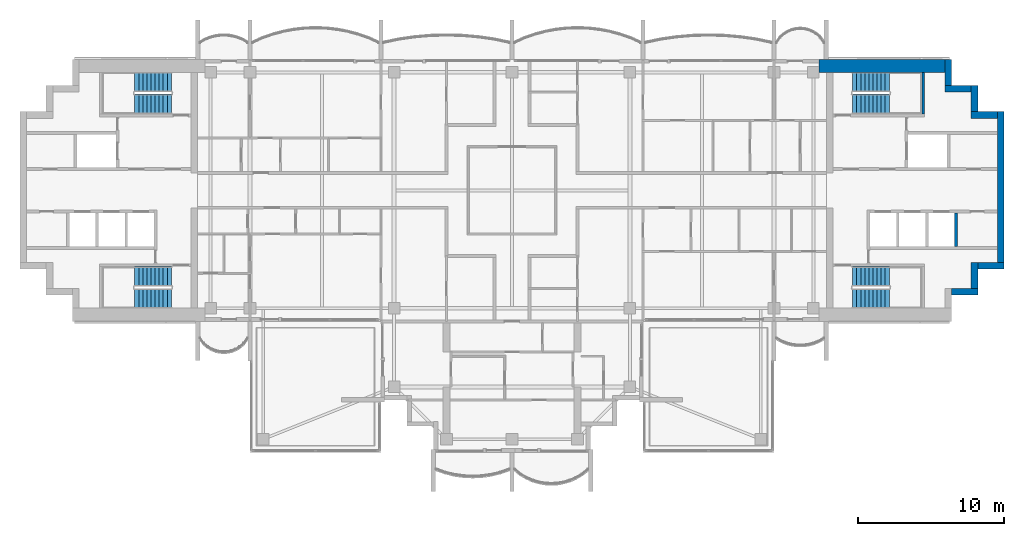
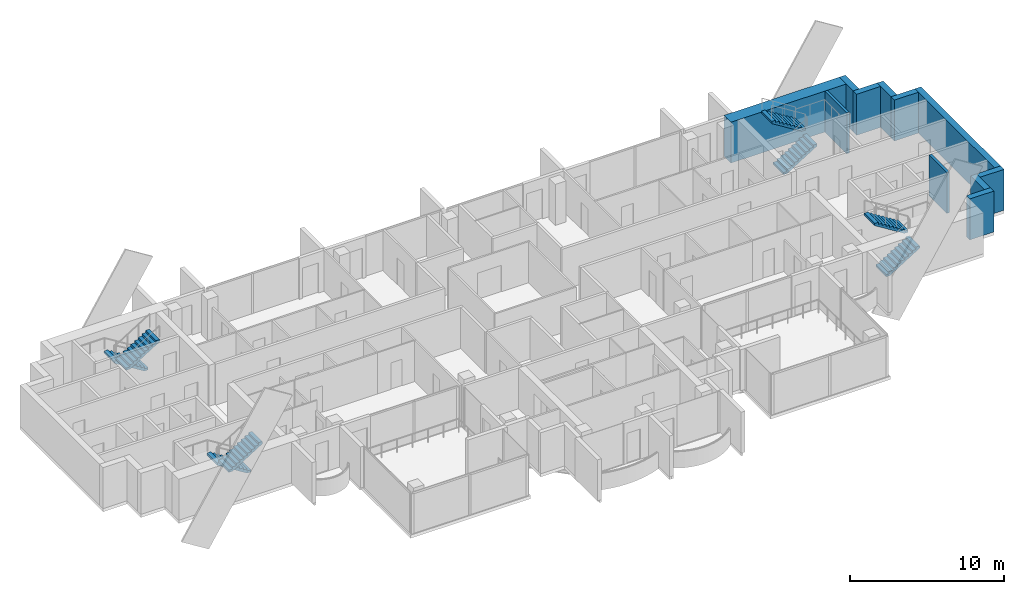
# One storey, part 12 of 16: 11 walls, 8 stair flights, 4 elements without a shape of their own.
"""IFC4 building model written with IfcOpenShell, lengths in metres."""

from ifc_helpers import new_model, si_unit, direction, frame, frame_2d, origin, place, context, subcontext, project, spatial, polyline, rectangle, outline, extrude, material, layer, layer_set, type_object, element, aggregate, save


model = new_model("IFC4")

# Units and contexts
model_context = context("Model", 3, precision=1e-05, world=origin(), true_north=direction((0.0, 1.0)))
body_context = subcontext(model_context, "Body", "Model", "MODEL_VIEW")
ifc_project = project(units=[si_unit("LENGTHUNIT", "METRE"), si_unit("AREAUNIT", "SQUARE_METRE"), si_unit("VOLUMEUNIT", "CUBIC_METRE"), si_unit("PLANEANGLEUNIT", "RADIAN"), si_unit("MASSUNIT", "GRAM", prefix="KILO")], contexts=[model_context])

# Site, building, storey
site_placement = place(None, origin())
site = spatial("IfcSite", under=ifc_project, at=site_placement, CompositionType="ELEMENT")
building_placement = place(site_placement, origin())
building = spatial("IfcBuilding", under=site, at=building_placement, Name="Perihelion Cross Residences", CompositionType="ELEMENT")
storey_placement = place(building_placement, frame((0.0, 0.0, 271.0)))
storey = spatial("IfcBuildingStorey", under=building, at=storey_placement, Name="L69", CompositionType="ELEMENT", Elevation=271.0)

# Walls
ifc_material_1 = material(Name="Concrete C60/75", Category="concrete")
ifc_layer_1 = layer(ifc_material_1, 0.449951171875)
ifc_layer_set_1 = layer_set([ifc_layer_1], Name="Core wall, outer 450")
wall_type_1 = type_object("IfcWallType", Name="Core wall, outer 450", PredefinedType="SHEAR", material=ifc_layer_set_1)
for number, where, z_axis, x_axis, name in (
    (1, (30.199951171875, -6.97509765625, 0.0), (0.0, 0.0, 1.0), (1.0, 0.0, 0.0), "East core core wall, outer"),
    (2, (31.77490234375, -6.75, 0.0), (0.0, 0.0, 1.0), (0.0, 1.0, 0.0), "East core core wall, outer"),
    (3, (32.0, -5.175048828125, 0.0), (0.0, 0.0, 1.0), (1.0, 0.0, 0.0), "East core core wall, outer"),
):
    element("IfcWall", number, at=place(storey_placement, frame(where, z_axis=z_axis, x_axis=x_axis)), inside=storey, type_object=wall_type_1, Name=name, PredefinedType="SHEAR", context=body_context, shape_type="SweptSolid", body=[
        extrude(rectangle(XDim=1.800048828125, YDim=0.449951171875, at=frame_2d((0.89990234375, 0.0))), origin(), (0.0, 0.0, 1.0), 3.25),
    ])
wall_1_placement = place(storey_placement, frame((33.574951171875, -4.949951171875, 0.0), z_axis=(0.0, 0.0, 1.0), x_axis=(0.0, 1.0, 0.0)))
element("IfcWall", 4, at=wall_1_placement, inside=storey, type_object=wall_type_1, Name="East core core wall, outer", PredefinedType="SHEAR", context=body_context, shape_type="SweptSolid", body=[
    extrude(rectangle(XDim=10.349853515625, YDim=0.449951171875, at=frame_2d((5.1748046875, 0.0))), origin(), (0.0, 0.0, 1.0), 3.25),
])
for number, where, z_axis, x_axis, name in (
    (5, (31.550048828125, 5.175048828125, 0.0), (0.0, 0.0, 1.0), (1.0, 0.0, 0.0), "East core core wall, outer"),
    (6, (31.77490234375, 5.39990234375, 0.0), (0.0, 0.0, 1.0), (0.0, 1.0, 0.0), "East core core wall, outer"),
    (7, (29.75, 6.97509765625, 0.0), (0.0, 0.0, 1.0), (1.0, 0.0, 0.0), "East core core wall, outer"),
    (8, (29.97509765625, 7.199951171875, 0.0), (0.0, 0.0, 1.0), (0.0, 1.0, 0.0), "East core core wall, outer"),
):
    element("IfcWall", number, at=place(storey_placement, frame(where, z_axis=z_axis, x_axis=x_axis)), inside=storey, type_object=wall_type_1, Name=name, PredefinedType="SHEAR", context=body_context, shape_type="SweptSolid", body=[
        extrude(rectangle(XDim=1.800048828125, YDim=0.449951171875, at=frame_2d((0.89990234375, 0.0))), origin(), (0.0, 0.0, 1.0), 3.25),
    ])
ifc_material_2 = material(Name="Concrete C60/75", Category="concrete")
ifc_layer_2 = layer(ifc_material_2, 0.89990234375)
ifc_layer_set_2 = layer_set([ifc_layer_2], Name="Core wall, outer 900")
wall_type_2 = type_object("IfcWallType", Name="Core wall, outer 900", PredefinedType="SHEAR", material=ifc_layer_set_2)
wall_2_placement = place(storey_placement, frame((21.10009765625, 8.550048828125, 0.0), z_axis=(0.0, 0.0, 1.0), x_axis=(1.0, 0.0, 0.0)))
element("IfcWall", 9, at=wall_2_placement, inside=storey, type_object=wall_type_2, Name="East core core wall, outer", PredefinedType="SHEAR", context=body_context, shape_type="SweptSolid", body=[
    extrude(rectangle(XDim=8.64990234375, YDim=0.89990234375, at=frame_2d((4.324951171875, 0.0))), origin(), (0.0, 0.0, 1.0), 3.25),
])
ifc_material_3 = material(Name="Concrete C50/60", Category="concrete")
ifc_layer_3 = layer(ifc_material_3, 0.199951171875)
ifc_layer_set_3 = layer_set([ifc_layer_3], Name="Shaft wall 200")
wall_type_3 = type_object("IfcWallType", Name="Shaft wall 200", PredefinedType="SOLIDWALL", material=ifc_layer_set_3)
wall_3_placement = place(storey_placement, frame((30.5, -3.85009765625, 0.0), z_axis=(0.0, 0.0, 1.0), x_axis=(0.0, 1.0, 0.0)))
element("IfcWall", 10, at=wall_3_placement, inside=storey, type_object=wall_type_3, Name="East core shaft wall", PredefinedType="SOLIDWALL", context=body_context, shape_type="SweptSolid", body=[
    extrude(rectangle(XDim=2.300048828125, YDim=0.199951171875, at=frame_2d((1.14990234375, 0.0))), origin(), (0.0, 0.0, 1.0), 3.25),
])
ifc_material_4 = material(Name="Concrete C50/60", Category="concrete")
ifc_layer_4 = layer(ifc_material_4, 0.199951171875)
ifc_layer_set_4 = layer_set([ifc_layer_4], Name="Stair wall 200")
wall_type_4 = type_object("IfcWallType", Name="Stair wall 200", PredefinedType="SOLIDWALL", material=ifc_layer_set_4)
wall_4_placement = place(storey_placement, frame((28.25, 5.25, 0.0), z_axis=(0.0, 0.0, 1.0), x_axis=(0.0, 1.0, 0.0)))
element("IfcWall", 11, at=wall_4_placement, inside=storey, type_object=wall_type_4, Name="East core stair wall", PredefinedType="SOLIDWALL", context=body_context, shape_type="SweptSolid", body=[
    extrude(rectangle(XDim=2.85009765625, YDim=0.199951171875, at=frame_2d((1.425048828125, 0.0))), origin(), (0.0, 0.0, 1.0), 3.25),
])

# Stair, stair flights
ifc_material_5 = material(Name="Concrete C40/50", Category="concrete")
stair_type = type_object("IfcStairType", Name="Exit stair, half-turn", PredefinedType="HALF_TURN_STAIR", material=ifc_material_5)
stair_1_placement = place(storey_placement, origin())
stair_1 = element("IfcStair", 12, at=stair_1_placement, inside=storey, type_object=stair_type, Name="L69 East core exit stair 1", PredefinedType="HALF_TURN_STAIR")
ifc_material_6 = material(Name="Concrete C40/50", Category="concrete")
stair_flight_type = type_object("IfcStairFlightType", Name="Exit stair flight", PredefinedType="STRAIGHT", material=ifc_material_6)
stair_flight_1_placement = place(storey_placement, frame((23.39990234375, 5.925048828125, 0.0), z_axis=(0.0, 0.0, 1.0), x_axis=(1.0, 0.0, 0.0)))
stair_flight_1 = element("IfcStairFlight", 13, at=stair_flight_1_placement, type_object=stair_flight_type, Name="ST-E1 flight 1", NumberOfRisers=10, NumberOfTreads=9, PredefinedType="STRAIGHT", RiserHeight=0.175, TreadLength=0.28, context=body_context, shape_type="SweptSolid", body=[
    extrude(outline(polyline([(0.0, 0.0), (0.0, 0.175048828125), (0.280029296875, 0.175048828125), (0.280029296875, 0.35009765625), (0.56005859375, 0.35009765625), (0.56005859375, 0.52490234375), (0.840087890625, 0.52490234375), (0.840087890625, 0.699951171875), (1.1201171875, 0.699951171875), (1.1201171875, 0.875), (1.39990234375, 0.875), (1.39990234375, 1.050048828125), (1.679931640625, 1.050048828125), (1.679931640625, 1.22509765625), (1.9599609375, 1.22509765625), (1.9599609375, 1.39990234375), (2.239990234375, 1.39990234375), (2.239990234375, 1.574951171875), (2.52001953125, 1.574951171875), (2.52001953125, 1.75), (2.52001953125, 1.398193359375), (0.28271484375, 0.0), (0.0, 0.0)])), frame((0.0, 0.675048828125, 0.0), z_axis=(0.0, -1.0, 0.0), x_axis=(1.0, 0.0, 0.0)), (0.0, 0.0, 1.0), 1.35009765625),
])
stair_flight_2_placement = place(storey_placement, frame((25.919921875, 7.425048828125, 1.75), z_axis=(0.0, 0.0, 1.0), x_axis=(-1.0, 0.0, 0.0)))
stair_flight_2 = element("IfcStairFlight", 14, at=stair_flight_2_placement, type_object=stair_flight_type, Name="ST-E1 flight 2", NumberOfRisers=10, NumberOfTreads=9, PredefinedType="STRAIGHT", RiserHeight=0.175, TreadLength=0.28, context=body_context, shape_type="SweptSolid", body=[
    extrude(outline(polyline([(0.0, 0.0), (0.0, 0.175048828125), (0.280029296875, 0.175048828125), (0.280029296875, 0.35009765625), (0.56005859375, 0.35009765625), (0.56005859375, 0.52490234375), (0.840087890625, 0.52490234375), (0.840087890625, 0.699951171875), (1.1201171875, 0.699951171875), (1.1201171875, 0.875), (1.39990234375, 0.875), (1.39990234375, 1.050048828125), (1.679931640625, 1.050048828125), (1.679931640625, 1.22509765625), (1.9599609375, 1.22509765625), (1.9599609375, 1.39990234375), (2.239990234375, 1.39990234375), (2.239990234375, 1.574951171875), (2.52001953125, 1.574951171875), (2.52001953125, 1.75), (2.52001953125, 1.398193359375), (0.28271484375, 0.0), (0.0, 0.0)])), frame((0.0, 0.675048828125, 0.0), z_axis=(0.0, -1.0, 0.0), x_axis=(1.0, 0.0, 0.0)), (0.0, 0.0, 1.0), 1.35009765625),
])
aggregate(stair_1, [stair_flight_1, stair_flight_2])

stair_2_placement = place(storey_placement, origin())
stair_2 = element("IfcStair", 15, at=stair_2_placement, inside=storey, type_object=stair_type, Name="L69 East core exit stair 2", PredefinedType="HALF_TURN_STAIR")
stair_flight_3_placement = place(storey_placement, frame((23.39990234375, -7.425048828125, 0.0), z_axis=(0.0, 0.0, 1.0), x_axis=(1.0, 0.0, 0.0)))
stair_flight_3 = element("IfcStairFlight", 16, at=stair_flight_3_placement, type_object=stair_flight_type, Name="ST-E2 flight 1", NumberOfRisers=10, NumberOfTreads=9, PredefinedType="STRAIGHT", RiserHeight=0.175, TreadLength=0.28, context=body_context, shape_type="SweptSolid", body=[
    extrude(outline(polyline([(0.0, 0.0), (0.0, 0.175048828125), (0.280029296875, 0.175048828125), (0.280029296875, 0.35009765625), (0.56005859375, 0.35009765625), (0.56005859375, 0.52490234375), (0.840087890625, 0.52490234375), (0.840087890625, 0.699951171875), (1.1201171875, 0.699951171875), (1.1201171875, 0.875), (1.39990234375, 0.875), (1.39990234375, 1.050048828125), (1.679931640625, 1.050048828125), (1.679931640625, 1.22509765625), (1.9599609375, 1.22509765625), (1.9599609375, 1.39990234375), (2.239990234375, 1.39990234375), (2.239990234375, 1.574951171875), (2.52001953125, 1.574951171875), (2.52001953125, 1.75), (2.52001953125, 1.398193359375), (0.28271484375, 0.0), (0.0, 0.0)])), frame((0.0, 0.675048828125, 0.0), z_axis=(0.0, -1.0, 0.0), x_axis=(1.0, 0.0, 0.0)), (0.0, 0.0, 1.0), 1.35009765625),
])
stair_flight_4_placement = place(storey_placement, frame((25.919921875, -5.925048828125, 1.75), z_axis=(0.0, 0.0, 1.0), x_axis=(-1.0, 0.0, 0.0)))
stair_flight_4 = element("IfcStairFlight", 17, at=stair_flight_4_placement, type_object=stair_flight_type, Name="ST-E2 flight 2", NumberOfRisers=10, NumberOfTreads=9, PredefinedType="STRAIGHT", RiserHeight=0.175, TreadLength=0.28, context=body_context, shape_type="SweptSolid", body=[
    extrude(outline(polyline([(0.0, 0.0), (0.0, 0.175048828125), (0.280029296875, 0.175048828125), (0.280029296875, 0.35009765625), (0.56005859375, 0.35009765625), (0.56005859375, 0.52490234375), (0.840087890625, 0.52490234375), (0.840087890625, 0.699951171875), (1.1201171875, 0.699951171875), (1.1201171875, 0.875), (1.39990234375, 0.875), (1.39990234375, 1.050048828125), (1.679931640625, 1.050048828125), (1.679931640625, 1.22509765625), (1.9599609375, 1.22509765625), (1.9599609375, 1.39990234375), (2.239990234375, 1.39990234375), (2.239990234375, 1.574951171875), (2.52001953125, 1.574951171875), (2.52001953125, 1.75), (2.52001953125, 1.398193359375), (0.28271484375, 0.0), (0.0, 0.0)])), frame((0.0, 0.675048828125, 0.0), z_axis=(0.0, -1.0, 0.0), x_axis=(1.0, 0.0, 0.0)), (0.0, 0.0, 1.0), 1.35009765625),
])
aggregate(stair_2, [stair_flight_3, stair_flight_4])

stair_3_placement = place(storey_placement, origin())
stair_3 = element("IfcStair", 18, at=stair_3_placement, inside=storey, type_object=stair_type, Name="L69 West core exit stair 1", PredefinedType="HALF_TURN_STAIR")
stair_flight_5_placement = place(storey_placement, frame((-23.39990234375, 7.425048828125, 0.0), z_axis=(0.0, 0.0, 1.0), x_axis=(-1.0, 0.0, 0.0)))
stair_flight_5 = element("IfcStairFlight", 19, at=stair_flight_5_placement, type_object=stair_flight_type, Name="ST-W1 flight 1", NumberOfRisers=10, NumberOfTreads=9, PredefinedType="STRAIGHT", RiserHeight=0.175, TreadLength=0.28, context=body_context, shape_type="SweptSolid", body=[
    extrude(outline(polyline([(0.0, 0.0), (0.0, 0.175048828125), (0.280029296875, 0.175048828125), (0.280029296875, 0.35009765625), (0.56005859375, 0.35009765625), (0.56005859375, 0.52490234375), (0.840087890625, 0.52490234375), (0.840087890625, 0.699951171875), (1.1201171875, 0.699951171875), (1.1201171875, 0.875), (1.39990234375, 0.875), (1.39990234375, 1.050048828125), (1.679931640625, 1.050048828125), (1.679931640625, 1.22509765625), (1.9599609375, 1.22509765625), (1.9599609375, 1.39990234375), (2.239990234375, 1.39990234375), (2.239990234375, 1.574951171875), (2.52001953125, 1.574951171875), (2.52001953125, 1.75), (2.52001953125, 1.398193359375), (0.28271484375, 0.0), (0.0, 0.0)])), frame((0.0, 0.675048828125, 0.0), z_axis=(0.0, -1.0, 0.0), x_axis=(1.0, 0.0, 0.0)), (0.0, 0.0, 1.0), 1.35009765625),
])
stair_flight_6_placement = place(storey_placement, frame((-25.919921875, 5.925048828125, 1.75), z_axis=(0.0, 0.0, 1.0), x_axis=(1.0, 0.0, 0.0)))
stair_flight_6 = element("IfcStairFlight", 20, at=stair_flight_6_placement, type_object=stair_flight_type, Name="ST-W1 flight 2", NumberOfRisers=10, NumberOfTreads=9, PredefinedType="STRAIGHT", RiserHeight=0.175, TreadLength=0.28, context=body_context, shape_type="SweptSolid", body=[
    extrude(outline(polyline([(0.0, 0.0), (0.0, 0.175048828125), (0.280029296875, 0.175048828125), (0.280029296875, 0.35009765625), (0.56005859375, 0.35009765625), (0.56005859375, 0.52490234375), (0.840087890625, 0.52490234375), (0.840087890625, 0.699951171875), (1.1201171875, 0.699951171875), (1.1201171875, 0.875), (1.39990234375, 0.875), (1.39990234375, 1.050048828125), (1.679931640625, 1.050048828125), (1.679931640625, 1.22509765625), (1.9599609375, 1.22509765625), (1.9599609375, 1.39990234375), (2.239990234375, 1.39990234375), (2.239990234375, 1.574951171875), (2.52001953125, 1.574951171875), (2.52001953125, 1.75), (2.52001953125, 1.398193359375), (0.28271484375, 0.0), (0.0, 0.0)])), frame((0.0, 0.675048828125, 0.0), z_axis=(0.0, -1.0, 0.0), x_axis=(1.0, 0.0, 0.0)), (0.0, 0.0, 1.0), 1.35009765625),
])
aggregate(stair_3, [stair_flight_5, stair_flight_6])

stair_4_placement = place(storey_placement, origin())
stair_4 = element("IfcStair", 21, at=stair_4_placement, inside=storey, type_object=stair_type, Name="L69 West core exit stair 2", PredefinedType="HALF_TURN_STAIR")
stair_flight_7_placement = place(storey_placement, frame((-23.39990234375, -5.925048828125, 0.0), z_axis=(0.0, 0.0, 1.0), x_axis=(-1.0, 0.0, 0.0)))
stair_flight_7 = element("IfcStairFlight", 22, at=stair_flight_7_placement, type_object=stair_flight_type, Name="ST-W2 flight 1", NumberOfRisers=10, NumberOfTreads=9, PredefinedType="STRAIGHT", RiserHeight=0.175, TreadLength=0.28, context=body_context, shape_type="SweptSolid", body=[
    extrude(outline(polyline([(0.0, 0.0), (0.0, 0.175048828125), (0.280029296875, 0.175048828125), (0.280029296875, 0.35009765625), (0.56005859375, 0.35009765625), (0.56005859375, 0.52490234375), (0.840087890625, 0.52490234375), (0.840087890625, 0.699951171875), (1.1201171875, 0.699951171875), (1.1201171875, 0.875), (1.39990234375, 0.875), (1.39990234375, 1.050048828125), (1.679931640625, 1.050048828125), (1.679931640625, 1.22509765625), (1.9599609375, 1.22509765625), (1.9599609375, 1.39990234375), (2.239990234375, 1.39990234375), (2.239990234375, 1.574951171875), (2.52001953125, 1.574951171875), (2.52001953125, 1.75), (2.52001953125, 1.398193359375), (0.28271484375, 0.0), (0.0, 0.0)])), frame((0.0, 0.675048828125, 0.0), z_axis=(0.0, -1.0, 0.0), x_axis=(1.0, 0.0, 0.0)), (0.0, 0.0, 1.0), 1.35009765625),
])
stair_flight_8_placement = place(storey_placement, frame((-25.919921875, -7.425048828125, 1.75), z_axis=(0.0, 0.0, 1.0), x_axis=(1.0, 0.0, 0.0)))
stair_flight_8 = element("IfcStairFlight", 23, at=stair_flight_8_placement, type_object=stair_flight_type, Name="ST-W2 flight 2", NumberOfRisers=10, NumberOfTreads=9, PredefinedType="STRAIGHT", RiserHeight=0.175, TreadLength=0.28, context=body_context, shape_type="SweptSolid", body=[
    extrude(outline(polyline([(0.0, 0.0), (0.0, 0.175048828125), (0.280029296875, 0.175048828125), (0.280029296875, 0.35009765625), (0.56005859375, 0.35009765625), (0.56005859375, 0.52490234375), (0.840087890625, 0.52490234375), (0.840087890625, 0.699951171875), (1.1201171875, 0.699951171875), (1.1201171875, 0.875), (1.39990234375, 0.875), (1.39990234375, 1.050048828125), (1.679931640625, 1.050048828125), (1.679931640625, 1.22509765625), (1.9599609375, 1.22509765625), (1.9599609375, 1.39990234375), (2.239990234375, 1.39990234375), (2.239990234375, 1.574951171875), (2.52001953125, 1.574951171875), (2.52001953125, 1.75), (2.52001953125, 1.398193359375), (0.28271484375, 0.0), (0.0, 0.0)])), frame((0.0, 0.675048828125, 0.0), z_axis=(0.0, -1.0, 0.0), x_axis=(1.0, 0.0, 0.0)), (0.0, 0.0, 1.0), 1.35009765625),
])
aggregate(stair_4, [stair_flight_7, stair_flight_8])

save(model, "model.ifc")
